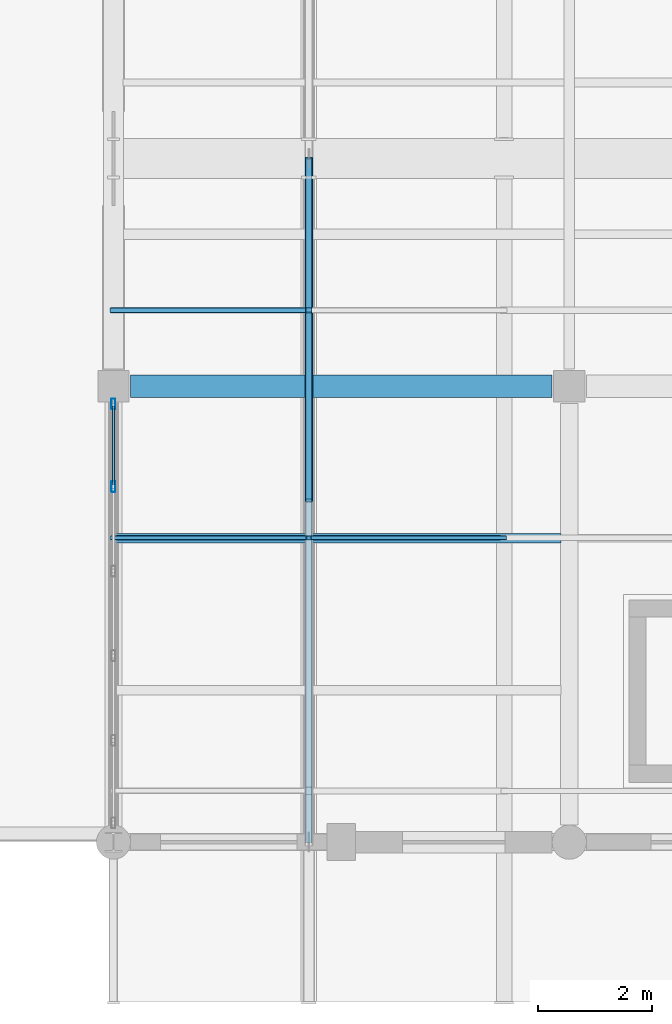
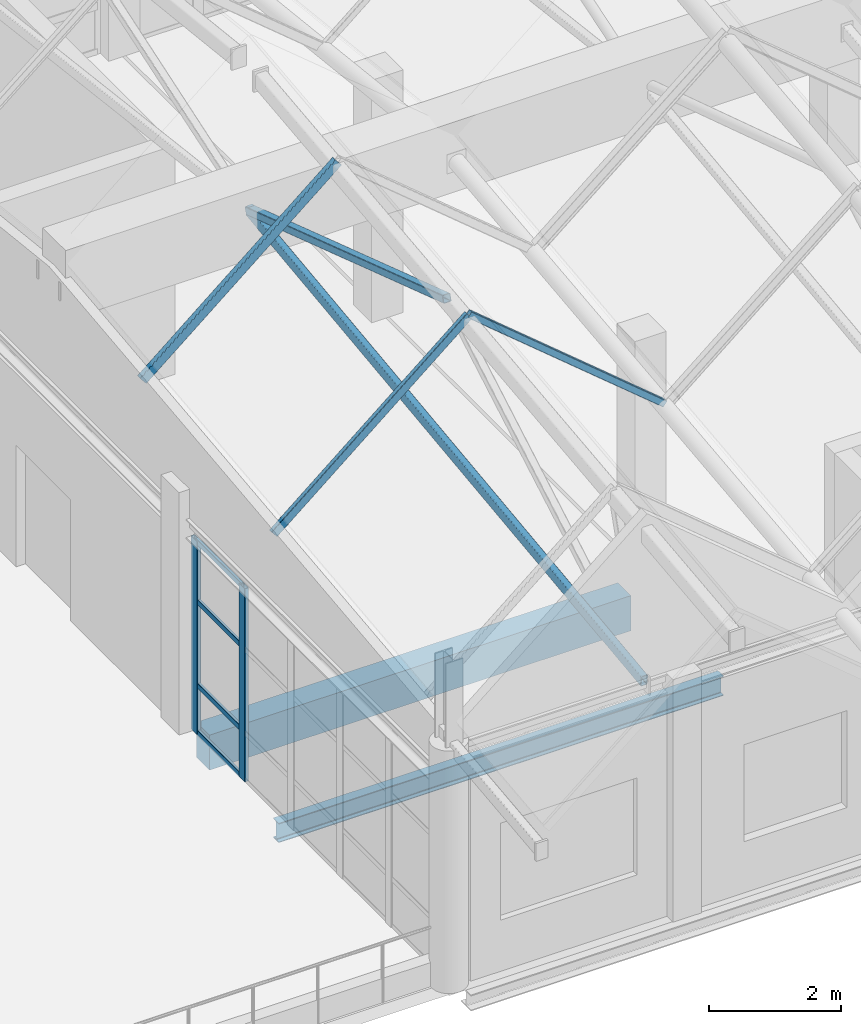
# One storey, part 54 of 183: 11 members, 2 beams, 1 element without a shape of its own.
"""IFC4 building model written with IfcOpenShell, lengths in metres."""

from ifc_helpers import new_model, si_unit, direction, frame, origin, origin_2d, place, context, subcontext, project, spatial, rectangle, hollow_rectangle, i_section, extrude, material, material_profile, profile_set, type_object, element, aggregate, save


model = new_model("IFC4")

# Units and contexts
model_context = context("Model", 3, precision=1e-05, world=origin(), true_north=direction((0.0, 1.0)))
body_context = subcontext(model_context, "Body", "Model", "MODEL_VIEW")
ifc_project = project(units=[si_unit("LENGTHUNIT", "METRE"), si_unit("AREAUNIT", "SQUARE_METRE"), si_unit("VOLUMEUNIT", "CUBIC_METRE"), si_unit("PLANEANGLEUNIT", "RADIAN"), si_unit("MASSUNIT", "GRAM", prefix="KILO")], contexts=[model_context])

# Site, building, storey
site_placement = place(None, origin())
site = spatial("IfcSite", under=ifc_project, at=site_placement, CompositionType="ELEMENT")
building_placement = place(site_placement, origin())
building = spatial("IfcBuilding", under=site, at=building_placement, Name="Luwemba Playhouse", CompositionType="ELEMENT")
storey_placement = place(building_placement, frame((0.0, 0.0, 4.800048828125)))
storey = spatial("IfcBuildingStorey", under=building, at=storey_placement, Name="L01", CompositionType="ELEMENT", Elevation=4.800048828125)

# Beams
ifc_material_1 = material(Name="Concrete C40/50", Category="concrete")
ifc_material_profile_1 = material_profile(ifc_material_1, rectangle(XDim=0.39990234375, YDim=0.64990234375, at=origin_2d()))
ifc_profile_set_1 = profile_set([ifc_material_profile_1], Name="Concrete C40/50")
beam_type_1 = type_object("IfcBeamType", Name="BM-RB02", PredefinedType="BEAM", material=ifc_profile_set_1)
beam_1_placement = place(storey_placement, frame((124.300048828125, 11.0, -0.574951171875), z_axis=(1.0, 0.0, 0.0), x_axis=(0.0, 1.0, 0.0)))
element("IfcBeam", 1, at=beam_1_placement, inside=storey, type_object=beam_type_1, Name="L01 grid girder 0525", PredefinedType="BEAM", context=body_context, shape_type="SweptSolid", body=[
    extrude(rectangle(XDim=0.39990234375, YDim=0.64990234375, at=origin_2d()), origin(), (0.0, 0.0, 1.0), 7.39990234375),
])
ifc_material_2 = material(Name="Steel S355", Category="steel")
ifc_material_profile_2 = material_profile(ifc_material_2, i_section(OverallWidth=0.169921875, OverallDepth=0.360107421875, WebThickness=0.008056640625, FlangeThickness=0.0126953125, FilletRadius=0.01806640625, at=origin_2d()))
ifc_profile_set_2 = profile_set([ifc_material_profile_2], Name="Steel S355")
beam_type_2 = type_object("IfcBeamType", Name="BM-SJ07", PredefinedType="JOIST", material=ifc_profile_set_2)
beam_2_placement = place(storey_placement, frame((124.0458984375, 8.333251953125, -0.429931640625), z_axis=(1.0, 0.0, 0.0), x_axis=(0.0, 1.0, 0.0)))
element("IfcBeam", 2, at=beam_2_placement, inside=storey, type_object=beam_type_2, Name="L01 composite floor joist 0308", PredefinedType="JOIST", context=body_context, shape_type="SweptSolid", body=[
    extrude(i_section(OverallWidth=0.169921875, OverallDepth=0.360107421875, WebThickness=0.008056640625, FlangeThickness=0.0126953125, FilletRadius=0.01806640625, at=origin_2d()), origin(), (0.0, 0.0, 1.0), 7.80810546875),
])

# Curtain wall, members
ifc_material_3 = material(Name="Solar-control double glazing", Category="glass")
curtain_wall_type = type_object("IfcCurtainWallType", Name="CW-CW115", PredefinedType="USERDEFINED", material=ifc_material_3)
curtain_wall_placement = place(storey_placement, origin())
curtain_wall = element("IfcCurtainWall", 3, at=curtain_wall_placement, inside=storey, type_object=curtain_wall_type, Name="L01 V5E unitised curtain wall 153", ObjectType="UNITISED GLAZING", PredefinedType="USERDEFINED")
ifc_material_4 = material(Name="Aluminium 6063-T6", Category="aluminium")
ifc_material_profile_3 = material_profile(ifc_material_4, hollow_rectangle(XDim=0.070068359375, YDim=0.18994140625, WallThickness=0.0048828125, InnerFilletRadius=0.007568359375, OuterFilletRadius=0.012451171875, at=origin_2d()))
ifc_profile_set_3 = profile_set([ifc_material_profile_3], Name="Aluminium 6063-T6")
member_type_1 = type_object("IfcMemberType", Name="CWM-M4", PredefinedType="MULLION", material=ifc_profile_set_3)
member_1_placement = place(storey_placement, frame((124.0, 9.239990234375, 0.0), z_axis=(0.0, 0.0, 1.0), x_axis=(-1.0, 0.0, 0.0)))
member_1 = element("IfcMember", 4, at=member_1_placement, type_object=member_type_1, Name="CW115 mullion 5", PredefinedType="MULLION", context=body_context, shape_type="SweptSolid", body=[
    extrude(hollow_rectangle(XDim=0.070068359375, YDim=0.18994140625, WallThickness=0.0048828125, InnerFilletRadius=0.007568359375, OuterFilletRadius=0.012451171875, at=origin_2d()), origin(), (0.0, 0.0, 1.0), 3.5849609375),
])
member_2_placement = place(storey_placement, frame((124.0, 10.68994140625, 0.0), z_axis=(0.0, 0.0, 1.0), x_axis=(-1.0, 0.0, 0.0)))
member_2 = element("IfcMember", 5, at=member_2_placement, type_object=member_type_1, Name="CW115 mullion 6", PredefinedType="MULLION", context=body_context, shape_type="SweptSolid", body=[
    extrude(hollow_rectangle(XDim=0.070068359375, YDim=0.18994140625, WallThickness=0.0048828125, InnerFilletRadius=0.007568359375, OuterFilletRadius=0.012451171875, at=origin_2d()), origin(), (0.0, 0.0, 1.0), 3.5849609375),
])
ifc_material_profile_4 = material_profile(ifc_material_4, hollow_rectangle(XDim=0.050048828125, YDim=0.10009765625, WallThickness=0.00341796875, InnerFilletRadius=0.00537109375, OuterFilletRadius=0.0087890625, at=origin_2d()))
ifc_profile_set_4 = profile_set([ifc_material_profile_4], Name="Aluminium 6063-T6")
member_type_2 = type_object("IfcMemberType", Name="CWT-T4", PredefinedType="USERDEFINED", material=ifc_profile_set_4)
member_3_placement = place(storey_placement, frame((124.0, 9.27490234375, 0.02490234375), z_axis=(0.0, 1.0, 0.0), x_axis=(-1.0, 0.0, 0.0)))
member_3 = element("IfcMember", 6, at=member_3_placement, type_object=member_type_2, Name="CW115 transom 5.1", ObjectType="TRANSOM", PredefinedType="USERDEFINED", context=body_context, shape_type="SweptSolid", body=[
    extrude(hollow_rectangle(XDim=0.050048828125, YDim=0.10009765625, WallThickness=0.00341796875, InnerFilletRadius=0.00537109375, OuterFilletRadius=0.0087890625, at=origin_2d()), origin(), (0.0, 0.0, 1.0), 1.380126953125),
])
member_4_placement = place(storey_placement, frame((124.0, 9.27490234375, 0.89990234375), z_axis=(0.0, 1.0, 0.0), x_axis=(-1.0, 0.0, 0.0)))
member_4 = element("IfcMember", 7, at=member_4_placement, type_object=member_type_2, Name="CW115 transom 5.2", ObjectType="TRANSOM", PredefinedType="USERDEFINED", context=body_context, shape_type="SweptSolid", body=[
    extrude(hollow_rectangle(XDim=0.050048828125, YDim=0.10009765625, WallThickness=0.00341796875, InnerFilletRadius=0.00537109375, OuterFilletRadius=0.0087890625, at=origin_2d()), origin(), (0.0, 0.0, 1.0), 1.380126953125),
])
member_5_placement = place(storey_placement, frame((124.0, 9.27490234375, 2.449951171875), z_axis=(0.0, 1.0, 0.0), x_axis=(-1.0, 0.0, 0.0)))
member_5 = element("IfcMember", 8, at=member_5_placement, type_object=member_type_2, Name="CW115 transom 5.3", ObjectType="TRANSOM", PredefinedType="USERDEFINED", context=body_context, shape_type="SweptSolid", body=[
    extrude(hollow_rectangle(XDim=0.050048828125, YDim=0.10009765625, WallThickness=0.00341796875, InnerFilletRadius=0.00537109375, OuterFilletRadius=0.0087890625, at=origin_2d()), origin(), (0.0, 0.0, 1.0), 1.380126953125),
])
member_6_placement = place(storey_placement, frame((124.0, 9.27490234375, 3.56005859375), z_axis=(0.0, 1.0, 0.0), x_axis=(-1.0, 0.0, 0.0)))
member_6 = element("IfcMember", 9, at=member_6_placement, type_object=member_type_2, Name="CW115 transom 5.4", ObjectType="TRANSOM", PredefinedType="USERDEFINED", context=body_context, shape_type="SweptSolid", body=[
    extrude(hollow_rectangle(XDim=0.050048828125, YDim=0.10009765625, WallThickness=0.00341796875, InnerFilletRadius=0.00537109375, OuterFilletRadius=0.0087890625, at=origin_2d()), origin(), (0.0, 0.0, 1.0), 1.380126953125),
])
aggregate(curtain_wall, [member_1, member_2, member_3, member_4, member_5, member_6])

# Members
ifc_material_profile_5 = material_profile(ifc_material_2, hollow_rectangle(XDim=0.139892578125, YDim=0.139892578125, WallThickness=0.008056640625, InnerFilletRadius=0.011962890625, OuterFilletRadius=0.02001953125, at=origin_2d()))
ifc_profile_set_5 = profile_set([ifc_material_profile_5], Name="Steel S355")
member_type_3 = type_object("IfcMemberType", Name="MEM-MB07", PredefinedType="BRACE", material=ifc_profile_set_5)
member_7_placement = place(storey_placement, frame((127.4287109375, 15.0, 5.864013671875), z_axis=(0.0, -0.949053370106, 0.315115376793), x_axis=(1.0, 0.0, 0.0)))
element("IfcMember", 10, at=member_7_placement, inside=storey, type_object=member_type_3, Name="ROOF TRUSS web diagonal 0268", PredefinedType="BRACE", context=body_context, shape_type="SweptSolid", body=[
    extrude(hollow_rectangle(XDim=0.139892578125, YDim=0.139892578125, WallThickness=0.008056640625, InnerFilletRadius=0.011962890625, OuterFilletRadius=0.02001953125, at=origin_2d()), origin(), (0.0, 0.0, 1.0), 6.322021484375),
])
ifc_material_profile_6 = material_profile(ifc_material_2, hollow_rectangle(XDim=0.1201171875, YDim=0.199951171875, WallThickness=0.010009765625, InnerFilletRadius=0.014892578125, OuterFilletRadius=0.02490234375, at=origin_2d()))
ifc_profile_set_6 = profile_set([ifc_material_profile_6], Name="Steel S355")
member_type_4 = type_object("IfcMemberType", Name="MEM-MC05", PredefinedType="CHORD", material=ifc_profile_set_6)
member_8_placement = place(storey_placement, frame((127.4287109375, 3.0, 4.39990234375), z_axis=(0.0, 0.992638950812, 0.121111161052), x_axis=(-1.0, 0.0, 0.0)))
element("IfcMember", 11, at=member_8_placement, inside=storey, type_object=member_type_4, Name="ROOF TRUSS south bottom chord 0265", PredefinedType="CHORD", context=body_context, shape_type="SweptSolid", body=[
    extrude(hollow_rectangle(XDim=0.1201171875, YDim=0.199951171875, WallThickness=0.010009765625, InnerFilletRadius=0.014892578125, OuterFilletRadius=0.02490234375, at=origin_2d()), origin(), (0.0, 0.0, 1.0), 12.0888671875),
])
ifc_material_profile_7 = material_profile(ifc_material_2, hollow_rectangle(XDim=0.080078125, YDim=0.1201171875, WallThickness=0.00634765625, InnerFilletRadius=0.009521484375, OuterFilletRadius=0.015869140625, at=origin_2d()))
ifc_profile_set_7 = profile_set([ifc_material_profile_7], Name="Steel S355")
member_type_5 = type_object("IfcMemberType", Name="MEM-MP01", PredefinedType="PURLIN", material=ifc_profile_set_7)
member_9_placement = place(storey_placement, frame((127.4287109375, 8.340087890625, 7.970458984375), z_axis=(0.768369259913, 0.0, -0.640006781543), x_axis=(0.0, 1.0, 0.0)))
element("IfcMember", 12, at=member_9_placement, inside=storey, type_object=member_type_5, Name="Pleated roof purlin 0536", PredefinedType="PURLIN", context=body_context, shape_type="SweptSolid", body=[
    extrude(hollow_rectangle(XDim=0.080078125, YDim=0.1201171875, WallThickness=0.00634765625, InnerFilletRadius=0.009521484375, OuterFilletRadius=0.015869140625, at=origin_2d()), origin(), (0.0, 0.0, 1.0), 4.4619140625),
])
ifc_material_profile_8 = material_profile(ifc_material_2, hollow_rectangle(XDim=0.080078125, YDim=0.159912109375, WallThickness=0.00634765625, InnerFilletRadius=0.009521484375, OuterFilletRadius=0.015869140625, at=origin_2d()))
ifc_profile_set_8 = profile_set([ifc_material_profile_8], Name="Steel S355")
member_type_6 = type_object("IfcMemberType", Name="MEM-MP03", PredefinedType="PURLIN", material=ifc_profile_set_8)
member_10_placement = place(storey_placement, frame((124.0, 8.340087890625, 5.094482421875), z_axis=(0.768364765209, 0.0, 0.640012177685), x_axis=(0.0, 1.0, 0.0)))
element("IfcMember", 13, at=member_10_placement, inside=storey, type_object=member_type_6, Name="Pleated roof purlin 0530", PredefinedType="PURLIN", context=body_context, shape_type="SweptSolid", body=[
    extrude(hollow_rectangle(XDim=0.080078125, YDim=0.159912109375, WallThickness=0.00634765625, InnerFilletRadius=0.009521484375, OuterFilletRadius=0.015869140625, at=origin_2d()), origin(), (0.0, 0.0, 1.0), 4.46240234375),
])
ifc_material_profile_9 = material_profile(ifc_material_2, hollow_rectangle(XDim=0.10009765625, YDim=0.179931640625, WallThickness=0.008056640625, InnerFilletRadius=0.011962890625, OuterFilletRadius=0.02001953125, at=origin_2d()))
ifc_profile_set_9 = profile_set([ifc_material_profile_9], Name="Steel S355")
member_type_7 = type_object("IfcMemberType", Name="MEM-MP04", PredefinedType="PURLIN", material=ifc_profile_set_9)
member_11_placement = place(storey_placement, frame((124.0, 12.3359375, 5.523681640625), z_axis=(0.768337860515, 0.0, 0.640044476657), x_axis=(0.0, 1.0, 0.0)))
element("IfcMember", 14, at=member_11_placement, inside=storey, type_object=member_type_7, Name="Pleated roof purlin 0531", PredefinedType="PURLIN", context=body_context, shape_type="SweptSolid", body=[
    extrude(hollow_rectangle(XDim=0.10009765625, YDim=0.179931640625, WallThickness=0.008056640625, InnerFilletRadius=0.011962890625, OuterFilletRadius=0.02001953125, at=origin_2d()), origin(), (0.0, 0.0, 1.0), 4.46240234375),
])

save(model, "model.ifc")
